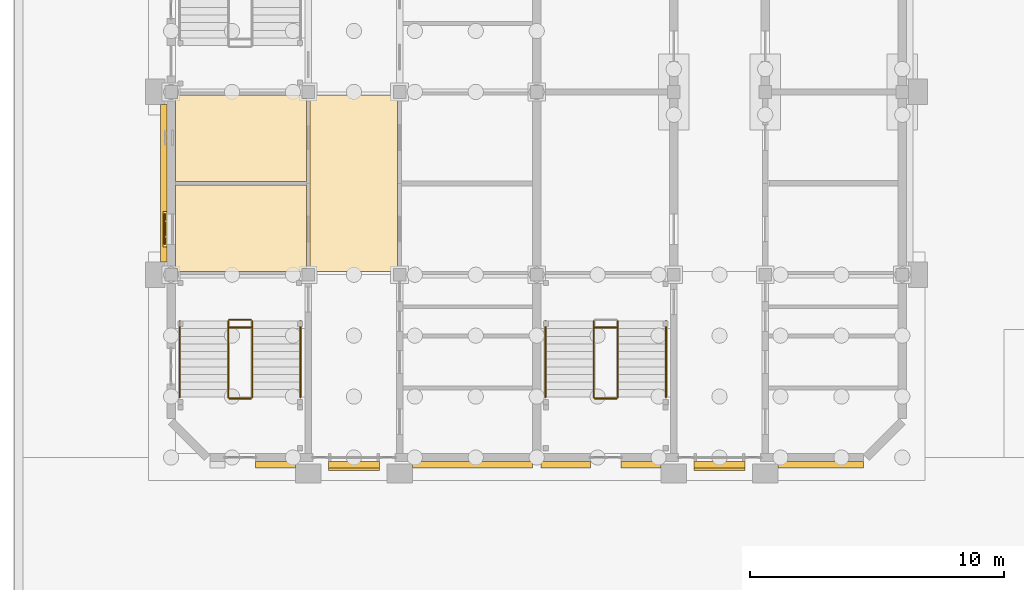
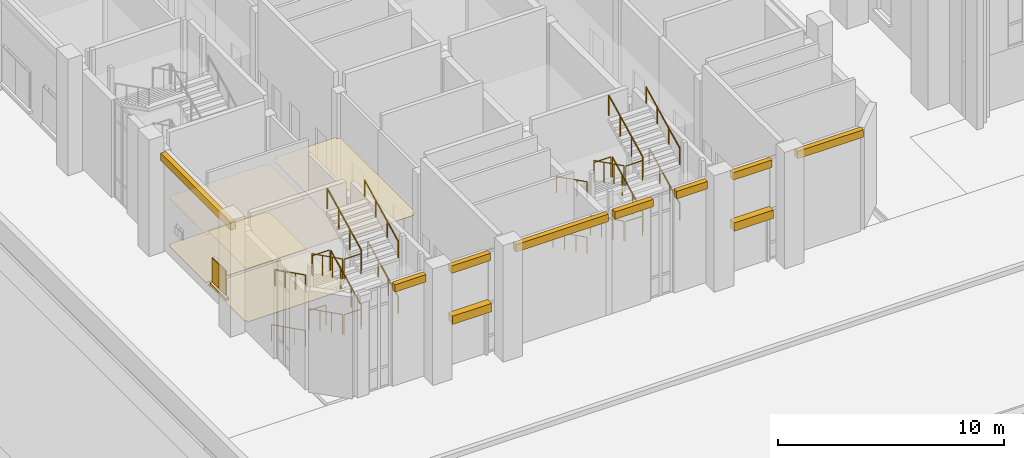
# One storey, part 66 of 84: 23 railings, 18 coverings.
"""IFC4 building model written with IfcOpenShell, lengths in metres."""

from ifc_helpers import new_model, si_unit, direction, frame, origin, origin_2d, place, context, subcontext, project, spatial, polyline, rectangle, circle, outline, extrude, material, layer, layer_set, type_object, element, save


model = new_model("IFC4")

# Units and contexts
model_context = context("Model", 3, precision=1e-05, world=origin(), true_north=direction((0.0, 1.0)))
body_context = subcontext(model_context, "Body", "Model", "MODEL_VIEW")
ifc_project = project(units=[si_unit("LENGTHUNIT", "METRE"), si_unit("AREAUNIT", "SQUARE_METRE"), si_unit("VOLUMEUNIT", "CUBIC_METRE"), si_unit("PLANEANGLEUNIT", "RADIAN"), si_unit("MASSUNIT", "GRAM", prefix="KILO")], contexts=[model_context])

# Site, building, storey
site_placement = place(None, origin())
site = spatial("IfcSite", under=ifc_project, at=site_placement, CompositionType="ELEMENT")
building_placement = place(site_placement, origin())
building = spatial("IfcBuilding", under=site, at=building_placement, Name="Mazhai Court Health Centre", CompositionType="ELEMENT")
storey_placement = place(building_placement, origin())
storey = spatial("IfcBuildingStorey", under=building, at=storey_placement, Name="L00", CompositionType="ELEMENT", Elevation=0.0)

# Coverings
ifc_material_1 = material(Name="Clay brick masonry", Category="masonry")
ifc_layer_1 = layer(ifc_material_1, 0.25)
ifc_layer_set_1 = layer_set([ifc_layer_1], Name="BRICK BAND 250")
covering_type_1 = type_object("IfcCoveringType", Name="BRICK BAND 250", PredefinedType="MOLDING", material=ifc_layer_set_1)
covering_1_placement = place(storey_placement, frame((0.0, 0.0, 5.0)))
element("IfcCovering", 1, at=covering_1_placement, inside=storey, type_object=covering_type_1, Name="EB-V2-L00-A1p0-0", PredefinedType="MOLDING", context=body_context, shape_type="SweptSolid", body=[
    extrude(outline(polyline([(6.034912109375, 13.89990234375), (6.034912109375, 20.10009765625), (5.784912109375, 20.10009765625), (5.784912109375, 13.89990234375), (6.034912109375, 13.89990234375)])), origin(), (0.0, 0.0, 1.0), 0.39990234375),
])
covering_2_placement = place(storey_placement, frame((0.0, 0.0, 5.25)))
element("IfcCovering", 2, at=covering_2_placement, inside=storey, type_object=covering_type_1, Name="EB-V2-L00-Sp1-0", PredefinedType="MOLDING", context=body_context, shape_type="SweptSolid", body=[
    extrude(outline(polyline([(11.10009765625, 6.034912109375), (9.52001953125, 6.034912109375), (9.52001953125, 5.784912109375), (11.10009765625, 5.784912109375), (11.10009765625, 6.034912109375)])), origin(), (0.0, 0.0, 1.0), 0.39990234375),
])
covering_3_placement = place(storey_placement, frame((0.0, 0.0, 5.25)))
element("IfcCovering", 3, at=covering_3_placement, inside=storey, type_object=covering_type_1, Name="EB-V2-L00-Sp2-0", PredefinedType="MOLDING", context=body_context, shape_type="SweptSolid", body=[
    extrude(outline(polyline([(14.39990234375, 6.034912109375), (12.39990234375, 6.034912109375), (12.39990234375, 5.784912109375), (14.39990234375, 5.784912109375), (14.39990234375, 6.034912109375)])), origin(), (0.0, 0.0, 1.0), 0.39990234375),
])
covering_4_placement = place(storey_placement, frame((0.0, 0.0, 5.25)))
element("IfcCovering", 4, at=covering_4_placement, inside=storey, type_object=covering_type_1, Name="EB-V2-L00-Sp3-0", PredefinedType="MOLDING", context=body_context, shape_type="SweptSolid", body=[
    extrude(outline(polyline([(20.43505859375, 6.034912109375), (15.699951171875, 6.034912109375), (15.699951171875, 5.784912109375), (20.43505859375, 5.784912109375), (20.43505859375, 6.034912109375)])), origin(), (0.0, 0.0, 1.0), 0.39990234375),
])
covering_5_placement = place(storey_placement, frame((0.0, 0.0, 5.25)))
element("IfcCovering", 5, at=covering_5_placement, inside=storey, type_object=covering_type_1, Name="EB-V5-L00-Sp0-0", PredefinedType="MOLDING", context=body_context, shape_type="SweptSolid", body=[
    extrude(outline(polyline([(22.719970703125, 6.034912109375), (20.764892578125, 6.034912109375), (20.764892578125, 5.784912109375), (22.719970703125, 5.784912109375), (22.719970703125, 6.034912109375)])), origin(), (0.0, 0.0, 1.0), 0.39990234375),
])
covering_6_placement = place(storey_placement, frame((0.0, 0.0, 5.25)))
element("IfcCovering", 6, at=covering_6_placement, inside=storey, type_object=covering_type_1, Name="EB-V5-L00-Sp1-0", PredefinedType="MOLDING", context=body_context, shape_type="SweptSolid", body=[
    extrude(outline(polyline([(25.5, 6.034912109375), (23.919921875, 6.034912109375), (23.919921875, 5.784912109375), (25.5, 5.784912109375), (25.5, 6.034912109375)])), origin(), (0.0, 0.0, 1.0), 0.39990234375),
])
covering_7_placement = place(storey_placement, frame((0.0, 0.0, 5.25)))
element("IfcCovering", 7, at=covering_7_placement, inside=storey, type_object=covering_type_1, Name="EB-V5-L00-Sp2-0", PredefinedType="MOLDING", context=body_context, shape_type="SweptSolid", body=[
    extrude(outline(polyline([(28.800048828125, 6.034912109375), (26.800048828125, 6.034912109375), (26.800048828125, 5.784912109375), (28.800048828125, 5.784912109375), (28.800048828125, 6.034912109375)])), origin(), (0.0, 0.0, 1.0), 0.39990234375),
])
covering_8_placement = place(storey_placement, frame((0.0, 0.0, 5.25)))
element("IfcCovering", 8, at=covering_8_placement, inside=storey, type_object=covering_type_1, Name="EB-V5-L00-Sp3-0", PredefinedType="MOLDING", context=body_context, shape_type="SweptSolid", body=[
    extrude(outline(polyline([(33.468994140625, 6.034912109375), (30.10009765625, 6.034912109375), (30.10009765625, 5.784912109375), (33.468994140625, 5.784912109375), (33.468994140625, 6.034912109375)])), origin(), (0.0, 0.0, 1.0), 0.39990234375),
])
ifc_material_2 = material(Name="Clay brick masonry", Category="masonry")
ifc_layer_2 = layer(ifc_material_2, 0.35009765625)
ifc_layer_set_2 = layer_set([ifc_layer_2], Name="BRICK PORTAL LINTEL 350")
covering_type_2 = type_object("IfcCoveringType", Name="BRICK PORTAL LINTEL 350", PredefinedType="MOLDING", material=ifc_layer_set_2)
covering_9_placement = place(storey_placement, frame((0.0, 0.0, 2.550048828125)))
element("IfcCovering", 9, at=covering_9_placement, inside=storey, type_object=covering_type_2, Name="EL-V2-L00-S", PredefinedType="MOLDING", context=body_context, shape_type="SweptSolid", body=[
    extrude(outline(polyline([(14.39990234375, 6.034912109375), (12.39990234375, 6.034912109375), (12.39990234375, 5.68505859375), (14.39990234375, 5.68505859375), (14.39990234375, 6.034912109375)])), origin(), (0.0, 0.0, 1.0), 0.449951171875),
])
covering_10_placement = place(storey_placement, frame((0.0, 0.0, 2.550048828125)))
element("IfcCovering", 10, at=covering_10_placement, inside=storey, type_object=covering_type_2, Name="EL-V5-L00-S", PredefinedType="MOLDING", context=body_context, shape_type="SweptSolid", body=[
    extrude(outline(polyline([(28.800048828125, 6.034912109375), (26.800048828125, 6.034912109375), (26.800048828125, 5.68505859375), (28.800048828125, 5.68505859375), (28.800048828125, 6.034912109375)])), origin(), (0.0, 0.0, 1.0), 0.449951171875),
])
ifc_material_3 = material(Name="Clay brick masonry", Category="masonry")
ifc_layer_3 = layer(ifc_material_3, 0.14990234375)
ifc_layer_set_3 = layer_set([ifc_layer_3], Name="BRICK SILL COURSE 150")
covering_type_3 = type_object("IfcCoveringType", Name="BRICK SILL COURSE 150", PredefinedType="MOLDING", material=ifc_layer_set_3)
covering_11_placement = place(storey_placement, frame((0.0, 0.0, 0.780029296875)))
element("IfcCovering", 11, at=covering_11_placement, inside=storey, type_object=covering_type_3, Name="ES-WN-V2-L00-A10", PredefinedType="MOLDING", context=body_context, shape_type="SweptSolid", body=[
    extrude(outline(polyline([(6.034912109375, 14.5), (6.034912109375, 15.89990234375), (5.885009765625, 15.89990234375), (5.885009765625, 14.5), (6.034912109375, 14.5)])), origin(), (0.0, 0.0, 1.0), 0.119873046875),
])
ifc_material_4 = material(Name="Gypsum plasterboard ceiling")
ifc_layer_4 = layer(ifc_material_4, 0.02001953125)
ifc_layer_set_4 = layer_set([ifc_layer_4], Name="CEILING GYPSUM BOARD 20")
covering_type_4 = type_object("IfcCoveringType", Name="CEILING GYPSUM BOARD 20", PredefinedType="CEILING", material=ifc_layer_set_4)
covering_12_placement = place(storey_placement, frame((0.0, 0.0, 2.89990234375)))
element("IfcCovering", 12, at=covering_12_placement, inside=storey, type_object=covering_type_4, Name="ceil-V2-L00-A0-admission-reception", PredefinedType="CEILING", context=body_context, shape_type="SweptSolid", body=[
    extrude(outline(polyline([(6.364990234375, 13.64990234375), (6.449951171875, 13.64990234375), (6.449951171875, 13.52490234375), (11.35009765625, 13.52490234375), (11.35009765625, 13.64990234375), (11.52490234375, 13.64990234375), (11.52490234375, 16.925048828125), (6.364990234375, 16.925048828125), (6.364990234375, 13.64990234375)])), origin(), (0.0, 0.0, 1.0), 0.02001953125),
])
ifc_material_5 = material(Name="Mineral fibre ceiling tile")
ifc_layer_5 = layer(ifc_material_5, 0.014892578125)
ifc_layer_set_5 = layer_set([ifc_layer_5], Name="CEILING MINERAL FIBRE TILE 15")
covering_type_5 = type_object("IfcCoveringType", Name="CEILING MINERAL FIBRE TILE 15", PredefinedType="CEILING", material=ifc_layer_set_5)
covering_13_placement = place(storey_placement, frame((0.0, 0.0, 2.800048828125)))
element("IfcCovering", 13, at=covering_13_placement, inside=storey, type_object=covering_type_5, Name="ceil-V2-L00-corridor-0", PredefinedType="CEILING", context=body_context, shape_type="SweptSolid", body=[
    extrude(outline(polyline([(14.949951171875, 13.52490234375), (14.949951171875, 13.64990234375), (15.125, 13.64990234375), (15.125, 20.35009765625), (14.949951171875, 20.35009765625), (14.949951171875, 20.47509765625), (11.85009765625, 20.47509765625), (11.85009765625, 20.35009765625), (11.675048828125, 20.35009765625), (11.675048828125, 13.64990234375), (11.85009765625, 13.64990234375), (11.85009765625, 13.52490234375), (14.949951171875, 13.52490234375)])), origin(), (0.0, 0.0, 1.0), 0.014892578125),
])
ifc_material_6 = material(Name="Moisture resistant gypsum ceiling")
ifc_layer_6 = layer(ifc_material_6, 0.014892578125)
ifc_layer_set_6 = layer_set([ifc_layer_6], Name="CEILING MOISTURE RESISTANT BOARD 15")
covering_type_6 = type_object("IfcCoveringType", Name="CEILING MOISTURE RESISTANT BOARD 15", PredefinedType="CEILING", material=ifc_layer_set_6)
covering_14_placement = place(storey_placement, frame((0.0, 0.0, 2.60009765625)))
element("IfcCovering", 14, at=covering_14_placement, inside=storey, type_object=covering_type_6, Name="ceil-V2-L00-A0-accessible-wc", PredefinedType="CEILING", context=body_context, shape_type="SweptSolid", body=[
    extrude(outline(polyline([(11.52490234375, 20.35009765625), (11.35009765625, 20.35009765625), (11.35009765625, 20.47509765625), (6.449951171875, 20.47509765625), (6.449951171875, 20.35009765625), (6.364990234375, 20.35009765625), (6.364990234375, 17.074951171875), (11.52490234375, 17.074951171875), (11.52490234375, 20.35009765625)])), origin(), (0.0, 0.0, 1.0), 0.014892578125),
])
ifc_material_7 = material(Name="Linoleum flooring")
ifc_layer_7 = layer(ifc_material_7, 0.02001953125)
ifc_layer_set_7 = layer_set([ifc_layer_7], Name="FLOOR FINISH LINOLEUM FLOORING 20")
covering_type_7 = type_object("IfcCoveringType", Name="FLOOR FINISH LINOLEUM FLOORING 20", PredefinedType="FLOORING", material=ifc_layer_set_7)
covering_15_placement = place(storey_placement, origin())
element("IfcCovering", 15, at=covering_15_placement, inside=storey, type_object=covering_type_7, Name="floor-V2-L00-A0-admission-reception", PredefinedType="FLOORING", context=body_context, shape_type="SweptSolid", body=[
    extrude(outline(polyline([(6.364990234375, 13.64990234375), (6.449951171875, 13.64990234375), (6.449951171875, 13.52490234375), (11.35009765625, 13.52490234375), (11.35009765625, 13.64990234375), (11.52490234375, 13.64990234375), (11.52490234375, 16.925048828125), (6.364990234375, 16.925048828125), (6.364990234375, 13.64990234375)])), origin(), (0.0, 0.0, 1.0), 0.02001953125),
])
ifc_material_8 = material(Name="Porcelain tile flooring")
ifc_layer_8 = layer(ifc_material_8, 0.02490234375)
ifc_layer_set_8 = layer_set([ifc_layer_8], Name="FLOOR FINISH PORCELAIN TILE FLOORING 25")
covering_type_8 = type_object("IfcCoveringType", Name="FLOOR FINISH PORCELAIN TILE FLOORING 25", PredefinedType="FLOORING", material=ifc_layer_set_8)
covering_16_placement = place(storey_placement, origin())
element("IfcCovering", 16, at=covering_16_placement, inside=storey, type_object=covering_type_8, Name="floor-V2-L00-A0-accessible-wc", PredefinedType="FLOORING", context=body_context, shape_type="SweptSolid", body=[
    extrude(outline(polyline([(11.52490234375, 20.35009765625), (11.35009765625, 20.35009765625), (11.35009765625, 20.47509765625), (6.449951171875, 20.47509765625), (6.449951171875, 20.35009765625), (6.364990234375, 20.35009765625), (6.364990234375, 17.074951171875), (11.52490234375, 17.074951171875), (11.52490234375, 20.35009765625)])), origin(), (0.0, 0.0, 1.0), 0.02490234375),
])
ifc_material_9 = material(Name="Aluminium louvre", Category="aluminium")
ifc_layer_9 = layer(ifc_material_9, 0.0400390625)
ifc_layer_set_9 = layer_set([ifc_layer_9], Name="SHUTTER LEAF 600x40")
covering_type_9 = type_object("IfcCoveringType", Name="SHUTTER LEAF 600x40", PredefinedType="CLADDING", material=ifc_layer_set_9)
for number, where, z_axis, x_axis, name in (
    (17, (5.955078125, 14.89990234375, 1.0), (0.0, 0.0, 1.0), (0.0, 1.0, 0.0), "LV-V2-L00-A10a"),
    (18, (5.955078125, 15.5, 1.0), (0.0, 0.0, 1.0), (0.0, 1.0, 0.0), "LV-V2-L00-A10b"),
):
    element("IfcCovering", number, at=place(storey_placement, frame(where, z_axis=z_axis, x_axis=x_axis)), inside=storey, type_object=covering_type_9, Name=name, PredefinedType="CLADDING", context=body_context, shape_type="SweptSolid", body=[
        extrude(rectangle(XDim=0.60009765625, YDim=0.0400390625, at=origin_2d()), origin(), (0.0, 0.0, 1.0), 1.300048828125),
    ])

# Railings
ifc_material_10 = material(Name="Steel IS 2062 E250", Category="steel")
railing_type_1 = type_object("IfcRailingType", Name="STAIR GUARD 1100", PredefinedType="GUARDRAIL", material=ifc_material_10)
railing_1_placement = place(storey_placement, frame((8.445068359375, 11.574951171875, 0.14990234375)))
element("IfcRailing", 19, at=railing_1_placement, inside=storey, type_object=railing_type_1, Name="L00 ST1 stair guard 1", PredefinedType="GUARDRAIL", context=body_context, shape_type="SweptSolid", body=[
    extrude(circle(Radius=0.02392578125, at=origin_2d()), frame((0.0, 0.0, 1.076171875), z_axis=(0.0, -0.894427191, 0.4472135955), x_axis=(1.0, 0.0, 0.0)), (0.0, 0.0, 1.0), 3.35400390625),
    extrude(circle(Radius=0.02099609375, at=origin_2d()), origin(), (0.0, 0.0, 1.0), 1.052001953125),
    extrude(circle(Radius=0.02099609375, at=origin_2d()), frame((0.0, -1.0, 0.5)), (0.0, 0.0, 1.0), 1.052001953125),
    extrude(circle(Radius=0.02099609375, at=origin_2d()), frame((0.0, -2.0, 1.0)), (0.0, 0.0, 1.0), 1.052001953125),
    extrude(circle(Radius=0.02099609375, at=origin_2d()), frame((0.0, -3.0, 1.5)), (0.0, 0.0, 1.0), 1.052001953125),
])
railing_2_placement = place(storey_placement, frame((8.4951171875, 8.52490234375, 1.64990234375)))
element("IfcRailing", 20, at=railing_2_placement, inside=storey, type_object=railing_type_1, Name="L00 ST1 stair guard 2", PredefinedType="GUARDRAIL", context=body_context, shape_type="SweptSolid", body=[
    extrude(circle(Radius=0.02392578125, at=origin_2d()), frame((0.0, 0.0, 1.076171875), z_axis=(1.0, 0.0, 0.0), x_axis=(0.0, 1.0, 0.0)), (0.0, 0.0, 1.0), 0.849853515625),
    extrude(circle(Radius=0.02099609375, at=origin_2d()), origin(), (0.0, 0.0, 1.0), 1.052001953125),
    extrude(circle(Radius=0.02099609375, at=origin_2d()), frame((0.849853515625, 0.0, 0.0)), (0.0, 0.0, 1.0), 1.052001953125),
])
railing_3_placement = place(storey_placement, frame((9.39501953125, 8.574951171875, 1.800048828125)))
element("IfcRailing", 21, at=railing_3_placement, inside=storey, type_object=railing_type_1, Name="L00 ST1 stair guard 3", PredefinedType="GUARDRAIL", context=body_context, shape_type="SweptSolid", body=[
    extrude(circle(Radius=0.02392578125, at=origin_2d()), frame((0.0, 0.0, 1.076171875), z_axis=(0.0, 0.89444336626, 0.447181243517), x_axis=(-1.0, 0.0, 0.0)), (0.0, 0.0, 1.0), 3.0185546875),
    extrude(circle(Radius=0.02099609375, at=origin_2d()), origin(), (0.0, 0.0, 1.0), 1.052001953125),
    extrude(circle(Radius=0.02099609375, at=origin_2d()), frame((0.0, 0.89990234375, 0.449951171875)), (0.0, 0.0, 1.0), 1.052001953125),
    extrude(circle(Radius=0.02099609375, at=origin_2d()), frame((0.0, 1.800048828125, 0.89990234375)), (0.0, 0.0, 1.0), 1.052001953125),
    extrude(circle(Radius=0.02099609375, at=origin_2d()), frame((0.0, 2.699951171875, 1.349853515625)), (0.0, 0.0, 1.0), 1.052001953125),
])
railing_4_placement = place(storey_placement, frame((8.4951171875, 11.324951171875, 3.14990234375)))
element("IfcRailing", 22, at=railing_4_placement, inside=storey, type_object=railing_type_1, Name="L00 ST1 stair guard 4", PredefinedType="GUARDRAIL", context=body_context, shape_type="SweptSolid", body=[
    extrude(circle(Radius=0.02392578125, at=origin_2d()), frame((0.0, 0.0, 1.076171875), z_axis=(1.0, 0.0, 0.0), x_axis=(0.0, 1.0, 0.0)), (0.0, 0.0, 1.0), 0.849853515625),
    extrude(circle(Radius=0.02099609375, at=origin_2d()), origin(), (0.0, 0.0, 1.0), 1.052001953125),
    extrude(circle(Radius=0.02099609375, at=origin_2d()), frame((0.849853515625, 0.0, 0.0)), (0.0, 0.0, 1.0), 1.052001953125),
])
railing_5_placement = place(storey_placement, frame((8.445068359375, 11.27490234375, 3.300048828125)))
element("IfcRailing", 23, at=railing_5_placement, inside=storey, type_object=railing_type_1, Name="L00 ST1 stair guard 5", PredefinedType="GUARDRAIL", context=body_context, shape_type="SweptSolid", body=[
    extrude(circle(Radius=0.02392578125, at=origin_2d()), frame((0.0, 0.0, 1.076171875), z_axis=(0.0, -0.89444336626, 0.447181243517), x_axis=(1.0, 0.0, 0.0)), (0.0, 0.0, 1.0), 3.0185546875),
    extrude(circle(Radius=0.02099609375, at=origin_2d()), origin(), (0.0, 0.0, 1.0), 1.052001953125),
    extrude(circle(Radius=0.02099609375, at=origin_2d()), frame((0.0, -0.89990234375, 0.449951171875)), (0.0, 0.0, 1.0), 1.052001953125),
    extrude(circle(Radius=0.02099609375, at=origin_2d()), frame((0.0, -1.800048828125, 0.89990234375)), (0.0, 0.0, 1.0), 1.052001953125),
    extrude(circle(Radius=0.02099609375, at=origin_2d()), frame((0.0, -2.699951171875, 1.349853515625)), (0.0, 0.0, 1.0), 1.052001953125),
])
railing_6_placement = place(storey_placement, frame((8.4951171875, 8.52490234375, 4.64990234375)))
element("IfcRailing", 24, at=railing_6_placement, inside=storey, type_object=railing_type_1, Name="L00 ST1 stair guard 6", PredefinedType="GUARDRAIL", context=body_context, shape_type="SweptSolid", body=[
    extrude(circle(Radius=0.02392578125, at=origin_2d()), frame((0.0, 0.0, 1.076171875), z_axis=(1.0, 0.0, 0.0), x_axis=(0.0, 1.0, 0.0)), (0.0, 0.0, 1.0), 0.849853515625),
    extrude(circle(Radius=0.02099609375, at=origin_2d()), origin(), (0.0, 0.0, 1.0), 1.052001953125),
    extrude(circle(Radius=0.02099609375, at=origin_2d()), frame((0.849853515625, 0.0, 0.0)), (0.0, 0.0, 1.0), 1.052001953125),
])
railing_7_placement = place(storey_placement, frame((9.39501953125, 8.574951171875, 4.800048828125)))
element("IfcRailing", 25, at=railing_7_placement, inside=storey, type_object=railing_type_1, Name="L00 ST1 stair guard 7", PredefinedType="GUARDRAIL", context=body_context, shape_type="SweptSolid", body=[
    extrude(circle(Radius=0.02392578125, at=origin_2d()), frame((0.0, 0.0, 1.076171875), z_axis=(0.0, 0.894427191, 0.4472135955), x_axis=(-1.0, 0.0, 0.0)), (0.0, 0.0, 1.0), 3.35400390625),
    extrude(circle(Radius=0.02099609375, at=origin_2d()), origin(), (0.0, 0.0, 1.0), 1.052001953125),
    extrude(circle(Radius=0.02099609375, at=origin_2d()), frame((0.0, 1.0, 0.5)), (0.0, 0.0, 1.0), 1.052001953125),
    extrude(circle(Radius=0.02099609375, at=origin_2d()), frame((0.0, 2.0, 1.0)), (0.0, 0.0, 1.0), 1.052001953125),
    extrude(circle(Radius=0.02099609375, at=origin_2d()), frame((0.0, 3.0, 1.5)), (0.0, 0.0, 1.0), 1.052001953125),
])
railing_8_placement = place(storey_placement, frame((8.4951171875, 11.625, 0.0)))
element("IfcRailing", 26, at=railing_8_placement, inside=storey, type_object=railing_type_1, Name="L00 ST1 stair guard 8", PredefinedType="GUARDRAIL", context=body_context, shape_type="SweptSolid", body=[
    extrude(circle(Radius=0.02392578125, at=origin_2d()), frame((0.0, 0.0, 1.076171875), z_axis=(1.0, 0.0, 0.0), x_axis=(0.0, 1.0, 0.0)), (0.0, 0.0, 1.0), 0.849853515625),
    extrude(circle(Radius=0.02099609375, at=origin_2d()), origin(), (0.0, 0.0, 1.0), 1.052001953125),
    extrude(circle(Radius=0.02099609375, at=origin_2d()), frame((0.849853515625, 0.0, 0.0)), (0.0, 0.0, 1.0), 1.052001953125),
])
railing_9_placement = place(storey_placement, frame((22.844970703125, 11.574951171875, 0.14990234375)))
element("IfcRailing", 27, at=railing_9_placement, inside=storey, type_object=railing_type_1, Name="L00 ST4 stair guard 1", PredefinedType="GUARDRAIL", context=body_context, shape_type="SweptSolid", body=[
    extrude(circle(Radius=0.02392578125, at=origin_2d()), frame((0.0, 0.0, 1.076171875), z_axis=(0.0, -0.894427191, 0.4472135955), x_axis=(1.0, 0.0, 0.0)), (0.0, 0.0, 1.0), 3.35400390625),
    extrude(circle(Radius=0.02099609375, at=origin_2d()), origin(), (0.0, 0.0, 1.0), 1.052001953125),
    extrude(circle(Radius=0.02099609375, at=origin_2d()), frame((0.0, -1.0, 0.5)), (0.0, 0.0, 1.0), 1.052001953125),
    extrude(circle(Radius=0.02099609375, at=origin_2d()), frame((0.0, -2.0, 1.0)), (0.0, 0.0, 1.0), 1.052001953125),
    extrude(circle(Radius=0.02099609375, at=origin_2d()), frame((0.0, -3.0, 1.5)), (0.0, 0.0, 1.0), 1.052001953125),
])
railing_10_placement = place(storey_placement, frame((22.89501953125, 8.52490234375, 1.64990234375)))
element("IfcRailing", 28, at=railing_10_placement, inside=storey, type_object=railing_type_1, Name="L00 ST4 stair guard 2", PredefinedType="GUARDRAIL", context=body_context, shape_type="SweptSolid", body=[
    extrude(circle(Radius=0.02392578125, at=origin_2d()), frame((0.0, 0.0, 1.076171875), z_axis=(1.0, 0.0, 0.0), x_axis=(0.0, 1.0, 0.0)), (0.0, 0.0, 1.0), 0.85009765625),
    extrude(circle(Radius=0.02099609375, at=origin_2d()), origin(), (0.0, 0.0, 1.0), 1.052001953125),
    extrude(circle(Radius=0.02099609375, at=origin_2d()), frame((0.85009765625, 0.0, 0.0)), (0.0, 0.0, 1.0), 1.052001953125),
])
railing_11_placement = place(storey_placement, frame((23.794921875, 8.574951171875, 1.800048828125)))
element("IfcRailing", 29, at=railing_11_placement, inside=storey, type_object=railing_type_1, Name="L00 ST4 stair guard 3", PredefinedType="GUARDRAIL", context=body_context, shape_type="SweptSolid", body=[
    extrude(circle(Radius=0.02392578125, at=origin_2d()), frame((0.0, 0.0, 1.076171875), z_axis=(0.0, 0.89444336626, 0.447181243517), x_axis=(-1.0, 0.0, 0.0)), (0.0, 0.0, 1.0), 3.0185546875),
    extrude(circle(Radius=0.02099609375, at=origin_2d()), origin(), (0.0, 0.0, 1.0), 1.052001953125),
    extrude(circle(Radius=0.02099609375, at=origin_2d()), frame((0.0, 0.89990234375, 0.449951171875)), (0.0, 0.0, 1.0), 1.052001953125),
    extrude(circle(Radius=0.02099609375, at=origin_2d()), frame((0.0, 1.800048828125, 0.89990234375)), (0.0, 0.0, 1.0), 1.052001953125),
    extrude(circle(Radius=0.02099609375, at=origin_2d()), frame((0.0, 2.699951171875, 1.349853515625)), (0.0, 0.0, 1.0), 1.052001953125),
])
railing_12_placement = place(storey_placement, frame((22.89501953125, 11.324951171875, 3.14990234375)))
element("IfcRailing", 30, at=railing_12_placement, inside=storey, type_object=railing_type_1, Name="L00 ST4 stair guard 4", PredefinedType="GUARDRAIL", context=body_context, shape_type="SweptSolid", body=[
    extrude(circle(Radius=0.02392578125, at=origin_2d()), frame((0.0, 0.0, 1.076171875), z_axis=(1.0, 0.0, 0.0), x_axis=(0.0, 1.0, 0.0)), (0.0, 0.0, 1.0), 0.85009765625),
    extrude(circle(Radius=0.02099609375, at=origin_2d()), origin(), (0.0, 0.0, 1.0), 1.052001953125),
    extrude(circle(Radius=0.02099609375, at=origin_2d()), frame((0.85009765625, 0.0, 0.0)), (0.0, 0.0, 1.0), 1.052001953125),
])
railing_13_placement = place(storey_placement, frame((22.844970703125, 11.27490234375, 3.300048828125)))
element("IfcRailing", 31, at=railing_13_placement, inside=storey, type_object=railing_type_1, Name="L00 ST4 stair guard 5", PredefinedType="GUARDRAIL", context=body_context, shape_type="SweptSolid", body=[
    extrude(circle(Radius=0.02392578125, at=origin_2d()), frame((0.0, 0.0, 1.076171875), z_axis=(0.0, -0.89444336626, 0.447181243517), x_axis=(1.0, 0.0, 0.0)), (0.0, 0.0, 1.0), 3.0185546875),
    extrude(circle(Radius=0.02099609375, at=origin_2d()), origin(), (0.0, 0.0, 1.0), 1.052001953125),
    extrude(circle(Radius=0.02099609375, at=origin_2d()), frame((0.0, -0.89990234375, 0.449951171875)), (0.0, 0.0, 1.0), 1.052001953125),
    extrude(circle(Radius=0.02099609375, at=origin_2d()), frame((0.0, -1.800048828125, 0.89990234375)), (0.0, 0.0, 1.0), 1.052001953125),
    extrude(circle(Radius=0.02099609375, at=origin_2d()), frame((0.0, -2.699951171875, 1.349853515625)), (0.0, 0.0, 1.0), 1.052001953125),
])
railing_14_placement = place(storey_placement, frame((22.89501953125, 8.52490234375, 4.64990234375)))
element("IfcRailing", 32, at=railing_14_placement, inside=storey, type_object=railing_type_1, Name="L00 ST4 stair guard 6", PredefinedType="GUARDRAIL", context=body_context, shape_type="SweptSolid", body=[
    extrude(circle(Radius=0.02392578125, at=origin_2d()), frame((0.0, 0.0, 1.076171875), z_axis=(1.0, 0.0, 0.0), x_axis=(0.0, 1.0, 0.0)), (0.0, 0.0, 1.0), 0.85009765625),
    extrude(circle(Radius=0.02099609375, at=origin_2d()), origin(), (0.0, 0.0, 1.0), 1.052001953125),
    extrude(circle(Radius=0.02099609375, at=origin_2d()), frame((0.85009765625, 0.0, 0.0)), (0.0, 0.0, 1.0), 1.052001953125),
])
railing_15_placement = place(storey_placement, frame((23.794921875, 8.574951171875, 4.800048828125)))
element("IfcRailing", 33, at=railing_15_placement, inside=storey, type_object=railing_type_1, Name="L00 ST4 stair guard 7", PredefinedType="GUARDRAIL", context=body_context, shape_type="SweptSolid", body=[
    extrude(circle(Radius=0.02392578125, at=origin_2d()), frame((0.0, 0.0, 1.076171875), z_axis=(0.0, 0.894427191, 0.4472135955), x_axis=(-1.0, 0.0, 0.0)), (0.0, 0.0, 1.0), 3.35400390625),
    extrude(circle(Radius=0.02099609375, at=origin_2d()), origin(), (0.0, 0.0, 1.0), 1.052001953125),
    extrude(circle(Radius=0.02099609375, at=origin_2d()), frame((0.0, 1.0, 0.5)), (0.0, 0.0, 1.0), 1.052001953125),
    extrude(circle(Radius=0.02099609375, at=origin_2d()), frame((0.0, 2.0, 1.0)), (0.0, 0.0, 1.0), 1.052001953125),
    extrude(circle(Radius=0.02099609375, at=origin_2d()), frame((0.0, 3.0, 1.5)), (0.0, 0.0, 1.0), 1.052001953125),
])
ifc_material_11 = material(Name="Steel IS 2062 E250", Category="steel")
railing_type_2 = type_object("IfcRailingType", Name="STAIR HANDRAIL 900", PredefinedType="HANDRAIL", material=ifc_material_11)
railing_16_placement = place(storey_placement, frame((6.544921875, 11.574951171875, 0.14990234375)))
element("IfcRailing", 34, at=railing_16_placement, inside=storey, type_object=railing_type_2, Name="L00 ST1 stair handrail 1", PredefinedType="HANDRAIL", context=body_context, shape_type="SweptSolid", body=[
    extrude(circle(Radius=0.02392578125, at=origin_2d()), frame((0.0, 0.0, 0.8759765625), z_axis=(0.0, -0.894427191, 0.4472135955), x_axis=(1.0, 0.0, 0.0)), (0.0, 0.0, 1.0), 3.35400390625),
    extrude(circle(Radius=0.02099609375, at=origin_2d()), origin(), (0.0, 0.0, 1.0), 0.851806640625),
    extrude(circle(Radius=0.02099609375, at=origin_2d()), frame((0.0, -1.0, 0.5)), (0.0, 0.0, 1.0), 0.851806640625),
    extrude(circle(Radius=0.02099609375, at=origin_2d()), frame((0.0, -2.0, 1.0)), (0.0, 0.0, 1.0), 0.851806640625),
    extrude(circle(Radius=0.02099609375, at=origin_2d()), frame((0.0, -3.0, 1.5)), (0.0, 0.0, 1.0), 0.851806640625),
])
railing_17_placement = place(storey_placement, frame((11.294921875, 8.574951171875, 1.800048828125)))
element("IfcRailing", 35, at=railing_17_placement, inside=storey, type_object=railing_type_2, Name="L00 ST1 stair handrail 2", PredefinedType="HANDRAIL", context=body_context, shape_type="SweptSolid", body=[
    extrude(circle(Radius=0.02392578125, at=origin_2d()), frame((0.0, 0.0, 0.8759765625), z_axis=(0.0, 0.89444336626, 0.447181243517), x_axis=(-1.0, 0.0, 0.0)), (0.0, 0.0, 1.0), 3.0185546875),
    extrude(circle(Radius=0.02099609375, at=origin_2d()), origin(), (0.0, 0.0, 1.0), 0.851806640625),
    extrude(circle(Radius=0.02099609375, at=origin_2d()), frame((0.0, 0.89990234375, 0.449951171875)), (0.0, 0.0, 1.0), 0.851806640625),
    extrude(circle(Radius=0.02099609375, at=origin_2d()), frame((0.0, 1.800048828125, 0.89990234375)), (0.0, 0.0, 1.0), 0.851806640625),
    extrude(circle(Radius=0.02099609375, at=origin_2d()), frame((0.0, 2.699951171875, 1.349853515625)), (0.0, 0.0, 1.0), 0.851806640625),
])
railing_18_placement = place(storey_placement, frame((6.544921875, 11.27490234375, 3.300048828125)))
element("IfcRailing", 36, at=railing_18_placement, inside=storey, type_object=railing_type_2, Name="L00 ST1 stair handrail 3", PredefinedType="HANDRAIL", context=body_context, shape_type="SweptSolid", body=[
    extrude(circle(Radius=0.02392578125, at=origin_2d()), frame((0.0, 0.0, 0.8759765625), z_axis=(0.0, -0.89444336626, 0.447181243517), x_axis=(1.0, 0.0, 0.0)), (0.0, 0.0, 1.0), 3.0185546875),
    extrude(circle(Radius=0.02099609375, at=origin_2d()), origin(), (0.0, 0.0, 1.0), 0.851806640625),
    extrude(circle(Radius=0.02099609375, at=origin_2d()), frame((0.0, -0.89990234375, 0.449951171875)), (0.0, 0.0, 1.0), 0.851806640625),
    extrude(circle(Radius=0.02099609375, at=origin_2d()), frame((0.0, -1.800048828125, 0.89990234375)), (0.0, 0.0, 1.0), 0.851806640625),
    extrude(circle(Radius=0.02099609375, at=origin_2d()), frame((0.0, -2.699951171875, 1.349853515625)), (0.0, 0.0, 1.0), 0.851806640625),
])
railing_19_placement = place(storey_placement, frame((11.294921875, 8.574951171875, 4.800048828125)))
element("IfcRailing", 37, at=railing_19_placement, inside=storey, type_object=railing_type_2, Name="L00 ST1 stair handrail 4", PredefinedType="HANDRAIL", context=body_context, shape_type="SweptSolid", body=[
    extrude(circle(Radius=0.02392578125, at=origin_2d()), frame((0.0, 0.0, 0.8759765625), z_axis=(0.0, 0.894427191, 0.4472135955), x_axis=(-1.0, 0.0, 0.0)), (0.0, 0.0, 1.0), 3.35400390625),
    extrude(circle(Radius=0.02099609375, at=origin_2d()), origin(), (0.0, 0.0, 1.0), 0.851806640625),
    extrude(circle(Radius=0.02099609375, at=origin_2d()), frame((0.0, 1.0, 0.5)), (0.0, 0.0, 1.0), 0.851806640625),
    extrude(circle(Radius=0.02099609375, at=origin_2d()), frame((0.0, 2.0, 1.0)), (0.0, 0.0, 1.0), 0.851806640625),
    extrude(circle(Radius=0.02099609375, at=origin_2d()), frame((0.0, 3.0, 1.5)), (0.0, 0.0, 1.0), 0.851806640625),
])
railing_20_placement = place(storey_placement, frame((20.945068359375, 11.574951171875, 0.14990234375)))
element("IfcRailing", 38, at=railing_20_placement, inside=storey, type_object=railing_type_2, Name="L00 ST4 stair handrail 1", PredefinedType="HANDRAIL", context=body_context, shape_type="SweptSolid", body=[
    extrude(circle(Radius=0.02392578125, at=origin_2d()), frame((0.0, 0.0, 0.8759765625), z_axis=(0.0, -0.894427191, 0.4472135955), x_axis=(1.0, 0.0, 0.0)), (0.0, 0.0, 1.0), 3.35400390625),
    extrude(circle(Radius=0.02099609375, at=origin_2d()), origin(), (0.0, 0.0, 1.0), 0.851806640625),
    extrude(circle(Radius=0.02099609375, at=origin_2d()), frame((0.0, -1.0, 0.5)), (0.0, 0.0, 1.0), 0.851806640625),
    extrude(circle(Radius=0.02099609375, at=origin_2d()), frame((0.0, -2.0, 1.0)), (0.0, 0.0, 1.0), 0.851806640625),
    extrude(circle(Radius=0.02099609375, at=origin_2d()), frame((0.0, -3.0, 1.5)), (0.0, 0.0, 1.0), 0.851806640625),
])
railing_21_placement = place(storey_placement, frame((25.695068359375, 8.574951171875, 1.800048828125)))
element("IfcRailing", 39, at=railing_21_placement, inside=storey, type_object=railing_type_2, Name="L00 ST4 stair handrail 2", PredefinedType="HANDRAIL", context=body_context, shape_type="SweptSolid", body=[
    extrude(circle(Radius=0.02392578125, at=origin_2d()), frame((0.0, 0.0, 0.8759765625), z_axis=(0.0, 0.89444336626, 0.447181243517), x_axis=(-1.0, 0.0, 0.0)), (0.0, 0.0, 1.0), 3.0185546875),
    extrude(circle(Radius=0.02099609375, at=origin_2d()), origin(), (0.0, 0.0, 1.0), 0.851806640625),
    extrude(circle(Radius=0.02099609375, at=origin_2d()), frame((0.0, 0.89990234375, 0.449951171875)), (0.0, 0.0, 1.0), 0.851806640625),
    extrude(circle(Radius=0.02099609375, at=origin_2d()), frame((0.0, 1.800048828125, 0.89990234375)), (0.0, 0.0, 1.0), 0.851806640625),
    extrude(circle(Radius=0.02099609375, at=origin_2d()), frame((0.0, 2.699951171875, 1.349853515625)), (0.0, 0.0, 1.0), 0.851806640625),
])
railing_22_placement = place(storey_placement, frame((20.945068359375, 11.27490234375, 3.300048828125)))
element("IfcRailing", 40, at=railing_22_placement, inside=storey, type_object=railing_type_2, Name="L00 ST4 stair handrail 3", PredefinedType="HANDRAIL", context=body_context, shape_type="SweptSolid", body=[
    extrude(circle(Radius=0.02392578125, at=origin_2d()), frame((0.0, 0.0, 0.8759765625), z_axis=(0.0, -0.89444336626, 0.447181243517), x_axis=(1.0, 0.0, 0.0)), (0.0, 0.0, 1.0), 3.0185546875),
    extrude(circle(Radius=0.02099609375, at=origin_2d()), origin(), (0.0, 0.0, 1.0), 0.851806640625),
    extrude(circle(Radius=0.02099609375, at=origin_2d()), frame((0.0, -0.89990234375, 0.449951171875)), (0.0, 0.0, 1.0), 0.851806640625),
    extrude(circle(Radius=0.02099609375, at=origin_2d()), frame((0.0, -1.800048828125, 0.89990234375)), (0.0, 0.0, 1.0), 0.851806640625),
    extrude(circle(Radius=0.02099609375, at=origin_2d()), frame((0.0, -2.699951171875, 1.349853515625)), (0.0, 0.0, 1.0), 0.851806640625),
])
railing_23_placement = place(storey_placement, frame((25.695068359375, 8.574951171875, 4.800048828125)))
element("IfcRailing", 41, at=railing_23_placement, inside=storey, type_object=railing_type_2, Name="L00 ST4 stair handrail 4", PredefinedType="HANDRAIL", context=body_context, shape_type="SweptSolid", body=[
    extrude(circle(Radius=0.02392578125, at=origin_2d()), frame((0.0, 0.0, 0.8759765625), z_axis=(0.0, 0.894427191, 0.4472135955), x_axis=(-1.0, 0.0, 0.0)), (0.0, 0.0, 1.0), 3.35400390625),
    extrude(circle(Radius=0.02099609375, at=origin_2d()), origin(), (0.0, 0.0, 1.0), 0.851806640625),
    extrude(circle(Radius=0.02099609375, at=origin_2d()), frame((0.0, 1.0, 0.5)), (0.0, 0.0, 1.0), 0.851806640625),
    extrude(circle(Radius=0.02099609375, at=origin_2d()), frame((0.0, 2.0, 1.0)), (0.0, 0.0, 1.0), 0.851806640625),
    extrude(circle(Radius=0.02099609375, at=origin_2d()), frame((0.0, 3.0, 1.5)), (0.0, 0.0, 1.0), 0.851806640625),
])

save(model, "model.ifc")
